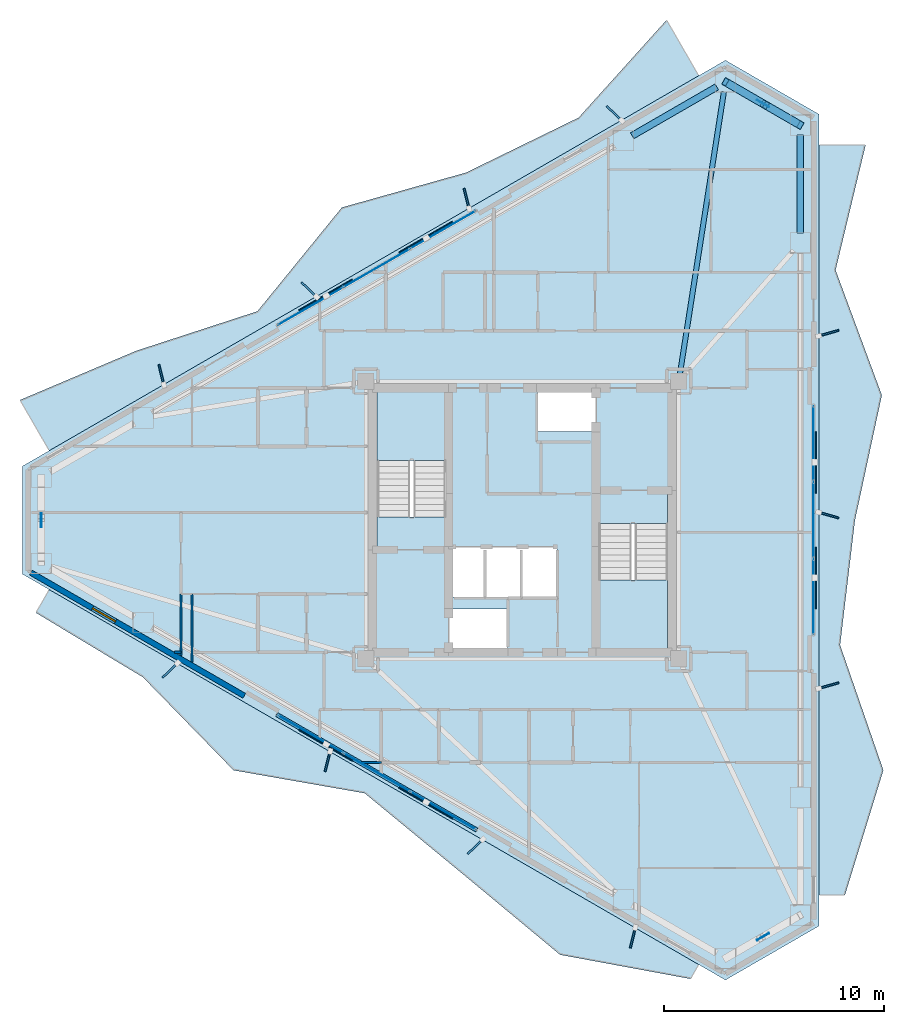
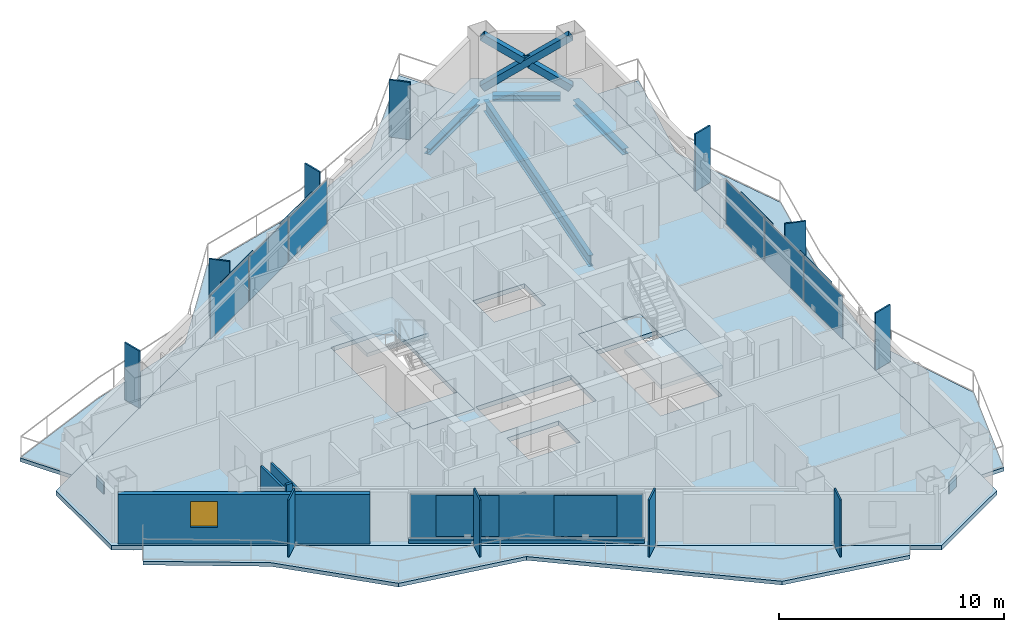
# One storey, part 11 of 19: 29 plates, 8 slabs, 6 walls, 4 beams, 3 members, 1 window, 1 opening, 5 elements without a shape of their own.
"""IFC4 building model written with IfcOpenShell, lengths in metres."""

from ifc_helpers import new_model, si_unit, direction, frame, frame_2d, origin, origin_2d, place, context, subcontext, project, spatial, polyline, rectangle, hollow_rectangle, i_section, outline, extrude, material, layer, layer_set, material_profile, profile_set, type_object, element, fill, aggregate, save


model = new_model("IFC4")

# Units and contexts
model_context = context("Model", 3, precision=1e-05, world=origin(), true_north=direction((0.0, 1.0)))
body_context = subcontext(model_context, "Body", "Model", "MODEL_VIEW")
ifc_project = project(units=[si_unit("LENGTHUNIT", "METRE"), si_unit("AREAUNIT", "SQUARE_METRE"), si_unit("VOLUMEUNIT", "CUBIC_METRE"), si_unit("PLANEANGLEUNIT", "RADIAN"), si_unit("MASSUNIT", "GRAM", prefix="KILO")], contexts=[model_context])

# Site, building, storey
site_placement = place(None, origin())
site = spatial("IfcSite", under=ifc_project, at=site_placement, CompositionType="ELEMENT")
building_placement = place(site_placement, origin())
building = spatial("IfcBuilding", under=site, at=building_placement, Name="Mersakhor Tower and Convention Hall", CompositionType="ELEMENT")
storey_placement = place(building_placement, frame((0.0, 0.0, 147.60009765625)))
storey = spatial("IfcBuildingStorey", under=building, at=storey_placement, Name="L41", CompositionType="ELEMENT", Elevation=147.60009765625)

# Beams
ifc_material_1 = material(Name="Steel S355", Category="steel")
ifc_material_profile_1 = material_profile(ifc_material_1, i_section(OverallWidth=0.22900390625, OverallDepth=0.6123046875, WebThickness=0.011962890625, FlangeThickness=0.01953125, at=origin_2d()), Name="UB 610x229x125")
ifc_profile_set_1 = profile_set([ifc_material_profile_1], Name="Steel S355")
beam_type_1 = type_object("IfcBeamType", Name="BM-PR-610", PredefinedType="BEAM", material=ifc_profile_set_1)
beam_1_placement = place(storey_placement, frame((36.15478515625, 33.40087890625, -0.546142578125), z_axis=(0.154111159783, 0.988053515975, 0.0), x_axis=(-0.988053515975, 0.154111159783, 0.0)))
element("IfcBeam", 1, at=beam_1_placement, inside=storey, type_object=beam_type_1, Name="L41 Primary Floor Girder FG-2", PredefinedType="BEAM", context=body_context, shape_type="SweptSolid", body=[
    extrude(i_section(OverallWidth=0.22900390625, OverallDepth=0.6123046875, WebThickness=0.011962890625, FlangeThickness=0.01953125, at=origin_2d()), origin(), (0.0, 0.0, 1.0), 12.94921875),
])
ifc_material_2 = material(Name="Steel S355", Category="steel")
ifc_material_profile_2 = material_profile(ifc_material_2, i_section(OverallWidth=0.30908203125, OverallDepth=0.320556640625, WebThickness=0.013916015625, FlangeThickness=0.021728515625, at=origin_2d()), Name="UC 305x305x137")
ifc_profile_set_2 = profile_set([ifc_material_profile_2], Name="Steel S355")
beam_type_2 = type_object("IfcBeamType", Name="BM-SPD-UC305", PredefinedType="SPANDREL", material=ifc_profile_set_2)
beam_2_placement = place(storey_placement, frame((33.986572265625, 44.200439453125, -0.400390625), z_axis=(0.866038875684, 0.49997666526, 0.0), x_axis=(-0.49997666526, 0.866038875684, 0.0)))
element("IfcBeam", 2, at=beam_2_placement, inside=storey, type_object=beam_type_2, Name="L41 Perimeter Spandrel Beam SPB-03", PredefinedType="SPANDREL", context=body_context, shape_type="SweptSolid", body=[
    extrude(i_section(OverallWidth=0.30908203125, OverallDepth=0.320556640625, WebThickness=0.013916015625, FlangeThickness=0.021728515625, at=origin_2d()), origin(), (0.0, 0.0, 1.0), 4.433837890625),
])
beam_3_placement = place(storey_placement, frame((38.614501953125, 46.417236328125, -0.400390625), z_axis=(0.86604667077, -0.499963162692, 0.0), x_axis=(0.499963162692, 0.86604667077, 0.0)))
element("IfcBeam", 3, at=beam_3_placement, inside=storey, type_object=beam_type_2, Name="L41 Perimeter Spandrel Beam SPB-04", PredefinedType="SPANDREL", context=body_context, shape_type="SweptSolid", body=[
    extrude(i_section(OverallWidth=0.30908203125, OverallDepth=0.320556640625, WebThickness=0.013916015625, FlangeThickness=0.021728515625, at=origin_2d()), origin(), (0.0, 0.0, 1.0), 3.014404296875),
])
beam_4_placement = place(storey_placement, frame((41.619140625, 44.2275390625, -0.400390625), z_axis=(0.0, -1.0, 0.0), x_axis=(1.0, 0.0, 0.0)))
element("IfcBeam", 4, at=beam_4_placement, inside=storey, type_object=beam_type_2, Name="L41 Perimeter Spandrel Beam SPB-05", PredefinedType="SPANDREL", context=body_context, shape_type="SweptSolid", body=[
    extrude(i_section(OverallWidth=0.30908203125, OverallDepth=0.320556640625, WebThickness=0.013916015625, FlangeThickness=0.021728515625, at=origin_2d()), origin(), (0.0, 0.0, 1.0), 4.433837890625),
])

# Members
ifc_material_3 = material(Name="Steel S460", Category="steel")
ifc_material_profile_3 = material_profile(ifc_material_3, hollow_rectangle(XDim=0.35009765625, YDim=0.35009765625, WallThickness=0.02001953125, at=origin_2d()), Name="SHS 350x350x20")
ifc_profile_set_3 = profile_set([ifc_material_profile_3], Name="Steel S460")
member_type = type_object("IfcMemberType", Name="MB-BRC-SHS350", PredefinedType="BRACE", material=ifc_profile_set_3)
member_placement = place(storey_placement, frame((38.220458984375, 46.644775390625, 0.14990234375), z_axis=(0.70838533923, -0.408971551713, 0.575267312693), x_axis=(0.499986324622, 0.866033299124, 0.0)))
element("IfcMember", 5, at=member_placement, inside=storey, type_object=member_type, Name="L41 Chamfer Braced Frame Diagonal CB-1A", PredefinedType="BRACE", context=body_context, shape_type="SweptSolid", body=[
    extrude(hollow_rectangle(XDim=0.35009765625, YDim=0.35009765625, WallThickness=0.02001953125, at=origin_2d()), origin(), (0.0, 0.0, 1.0), 4.7978515625),
])
for number, where, z_axis, x_axis, name in (
    (6, (41.619140625, 44.6826171875, 0.14990234375), (-0.708409139881, 0.409012716899, 0.575208734242), (-0.500011469263, -0.866018781901, 0.0), "L41 Chamfer Braced Frame Diagonal CB-1B Lower Half"),
    (7, (39.782470703125, 45.742919921875, 1.6416015625), (-0.708409139881, 0.409012716899, 0.575208734242), (-0.500011469263, -0.866018781901, 0.0), "L41 Chamfer Braced Frame Diagonal CB-1B Upper Half"),
):
    element("IfcMember", number, at=place(storey_placement, frame(where, z_axis=z_axis, x_axis=x_axis)), inside=storey, type_object=member_type, Name=name, PredefinedType="BRACE", context=body_context, shape_type="SweptSolid", body=[
        extrude(hollow_rectangle(XDim=0.35009765625, YDim=0.35009765625, WallThickness=0.02001953125, at=origin_2d()), origin(), (0.0, 0.0, 1.0), 2.205078125),
    ])

# Curtain wall, plates
ifc_material_4 = material(Name="Dark solar low-E aluminium curtain wall", Category="aluminium")
ifc_layer_1 = layer(ifc_material_4, 0.169921875)
ifc_layer_set_1 = layer_set([ifc_layer_1], Name="Dark solar low-E aluminium curtain wall")
curtain_wall_type = type_object("IfcCurtainWallType", Name="CW-SYS-02", PredefinedType="USERDEFINED", material=ifc_layer_set_1)
curtain_wall_1_placement = place(storey_placement, origin())
curtain_wall_1 = element("IfcCurtainWall", 8, at=curtain_wall_1_placement, inside=storey, type_object=curtain_wall_type, Name="L41 Dark-Glass Curtain Wall F1-B2", ObjectType="CURTAIN WALL", PredefinedType="USERDEFINED")
ifc_material_5 = material(Name="Dark solar double glazing", Category="glass")
ifc_layer_2 = layer(ifc_material_5, 0.028076171875)
ifc_layer_set_2 = layer_set([ifc_layer_2], Name="Dark solar double glazing")
plate_type_1 = type_object("IfcPlateType", Name="CWP-GLZ-28", PredefinedType="CURTAIN_PANEL", material=ifc_layer_set_2)
plate_1_placement = place(storey_placement, frame((19.379638671875, 36.4599609375, 0.259765625), z_axis=(0.0, 0.0, 1.0), x_axis=(0.866030906807, 0.499990468363, 0.0)))
plate_1 = element("IfcPlate", 9, at=plate_1_placement, type_object=plate_type_1, Name="CW-02 panel 1.1", PredefinedType="CURTAIN_PANEL", context=body_context, shape_type="SweptSolid", body=[
    extrude(rectangle(XDim=3.3828125, YDim=0.028076171875, at=origin_2d()), origin(), (0.0, 0.0, 1.0), 2.360107421875),
])
plate_2_placement = place(storey_placement, frame((22.390380859375, 38.1982421875, 0.259765625), z_axis=(0.0, 0.0, 1.0), x_axis=(0.866030906807, 0.499990468363, 0.0)))
plate_2 = element("IfcPlate", 10, at=plate_2_placement, type_object=plate_type_1, Name="CW-02 panel 2.1", PredefinedType="CURTAIN_PANEL", context=body_context, shape_type="SweptSolid", body=[
    extrude(rectangle(XDim=3.42041015625, YDim=0.028076171875, at=origin_2d()), origin(), (0.0, 0.0, 1.0), 2.360107421875),
])
plate_3_placement = place(storey_placement, frame((25.401123046875, 39.9365234375, 0.259765625), z_axis=(0.0, 0.0, 1.0), x_axis=(0.866030906807, 0.499990468363, 0.0)))
plate_3 = element("IfcPlate", 11, at=plate_3_placement, type_object=plate_type_1, Name="CW-02 panel 3.1", PredefinedType="CURTAIN_PANEL", context=body_context, shape_type="SweptSolid", body=[
    extrude(rectangle(XDim=3.3828125, YDim=0.028076171875, at=origin_2d()), origin(), (0.0, 0.0, 1.0), 2.360107421875),
])
aggregate(curtain_wall_1, [plate_1, plate_2, plate_3])

curtain_wall_2_placement = place(storey_placement, origin())
curtain_wall_2 = element("IfcCurtainWall", 12, at=curtain_wall_2_placement, inside=storey, type_object=curtain_wall_type, Name="L41 Dark-Glass Curtain Wall F2-B2", ObjectType="CURTAIN WALL", PredefinedType="USERDEFINED")
plate_4_placement = place(storey_placement, frame((42.21923828125, 30.2265625, 0.259765625), z_axis=(0.0, 0.0, 1.0), x_axis=(0.0, -1.0, 0.0)))
plate_4 = element("IfcPlate", 13, at=plate_4_placement, type_object=plate_type_1, Name="CW-02 panel 1.1", PredefinedType="CURTAIN_PANEL", context=body_context, shape_type="SweptSolid", body=[
    extrude(rectangle(XDim=3.3828125, YDim=0.028076171875, at=origin_2d()), origin(), (0.0, 0.0, 1.0), 2.360107421875),
])
plate_5_placement = place(storey_placement, frame((42.21923828125, 26.75, 0.259765625), z_axis=(0.0, 0.0, 1.0), x_axis=(0.0, -1.0, 0.0)))
plate_5 = element("IfcPlate", 14, at=plate_5_placement, type_object=plate_type_1, Name="CW-02 panel 2.1", PredefinedType="CURTAIN_PANEL", context=body_context, shape_type="SweptSolid", body=[
    extrude(rectangle(XDim=3.42041015625, YDim=0.028076171875, at=origin_2d()), origin(), (0.0, 0.0, 1.0), 2.360107421875),
])
plate_6_placement = place(storey_placement, frame((42.21923828125, 23.2734375, 0.259765625), z_axis=(0.0, 0.0, 1.0), x_axis=(0.0, -1.0, 0.0)))
plate_6 = element("IfcPlate", 15, at=plate_6_placement, type_object=plate_type_1, Name="CW-02 panel 3.1", PredefinedType="CURTAIN_PANEL", context=body_context, shape_type="SweptSolid", body=[
    extrude(rectangle(XDim=3.3828125, YDim=0.028076171875, at=origin_2d()), origin(), (0.0, 0.0, 1.0), 2.360107421875),
])
aggregate(curtain_wall_2, [plate_4, plate_5, plate_6])

curtain_wall_3_placement = place(storey_placement, origin())
curtain_wall_3 = element("IfcCurtainWall", 16, at=curtain_wall_3_placement, inside=storey, type_object=curtain_wall_type, Name="L41 Dark-Glass Curtain Wall F3-B2", ObjectType="CURTAIN WALL", PredefinedType="USERDEFINED")
plate_7_placement = place(storey_placement, frame((25.401123046875, 13.5634765625, 0.259765625), z_axis=(0.0, 0.0, 1.0), x_axis=(-0.866030906807, 0.499990468363, 0.0)))
plate_7 = element("IfcPlate", 17, at=plate_7_placement, type_object=plate_type_1, Name="CW-02 panel 1.1", PredefinedType="CURTAIN_PANEL", context=body_context, shape_type="SweptSolid", body=[
    extrude(rectangle(XDim=3.3828125, YDim=0.028076171875, at=origin_2d()), origin(), (0.0, 0.0, 1.0), 2.360107421875),
])
plate_8_placement = place(storey_placement, frame((22.390380859375, 15.3017578125, 0.259765625), z_axis=(0.0, 0.0, 1.0), x_axis=(-0.866030906807, 0.499990468363, 0.0)))
plate_8 = element("IfcPlate", 18, at=plate_8_placement, type_object=plate_type_1, Name="CW-02 panel 2.1", PredefinedType="CURTAIN_PANEL", context=body_context, shape_type="SweptSolid", body=[
    extrude(rectangle(XDim=3.42041015625, YDim=0.028076171875, at=origin_2d()), origin(), (0.0, 0.0, 1.0), 2.360107421875),
])
plate_9_placement = place(storey_placement, frame((19.379638671875, 17.0400390625, 0.259765625), z_axis=(0.0, 0.0, 1.0), x_axis=(-0.866030906807, 0.499990468363, 0.0)))
plate_9 = element("IfcPlate", 19, at=plate_9_placement, type_object=plate_type_1, Name="CW-02 panel 3.1", PredefinedType="CURTAIN_PANEL", context=body_context, shape_type="SweptSolid", body=[
    extrude(rectangle(XDim=3.3828125, YDim=0.028076171875, at=origin_2d()), origin(), (0.0, 0.0, 1.0), 2.360107421875),
])
aggregate(curtain_wall_3, [plate_7, plate_8, plate_9])

# Plates
ifc_material_6 = material(Name="Ceramic-clad aluminium Zone 3 ochre-bronze", Category="aluminium")
ifc_material_7 = material(Name="Ceramic-clad aluminium Zone 1 cobalt-slate", Category="masonry")
ifc_layer_3 = layer(ifc_material_7, 0.080078125)
ifc_layer_set_3 = layer_set([ifc_layer_3], Name="Ceramic-clad aluminium Zone 1 cobalt-slate")
plate_type_2 = type_object("IfcPlateType", Name="PL-FIN-80", PredefinedType="USERDEFINED", material=ifc_layer_set_3)
for number, where, z_axis, x_axis, name in (
    (20, (12.614013671875, 33.3466796875, -0.000244140625), (0.0, 0.0, 1.0), (-0.2419218956, 0.970295726276, 0.0), "L41 Zone 3 Coloured Brise-Soleil Fin F1-1"),
    (21, (19.3154296875, 37.215576171875, -0.000244140625), (0.0, 0.0, 1.0), (-0.719339800339, 0.694658370459, 0.0), "L41 Zone 3 Coloured Brise-Soleil Fin F1-2"),
    (22, (26.470458984375, 41.346435546875, -0.000244140625), (0.0, 0.0, 1.0), (-0.2419218956, 0.970295726276, 0.0), "L41 Zone 3 Coloured Brise-Soleil Fin F1-3"),
    (23, (33.171875, 45.215576171875, -0.000244140625), (0.0, 0.0, 1.0), (-0.719339800339, 0.694658370459, 0.0), "L41 Zone 3 Coloured Brise-Soleil Fin F1-4"),
    (24, (42.90576171875, 35.237548828125, -0.000244140625), (0.0, 0.0, 1.0), (0.961261695938, 0.275637355817, 0.0), "L41 Zone 3 Coloured Brise-Soleil Fin F2-1"),
    (25, (42.90576171875, 26.9755859375, -0.000244140625), (0.0, 0.0, 1.0), (0.961261695938, -0.275637355817, 0.0), "L41 Zone 3 Coloured Brise-Soleil Fin F2-2"),
    (26, (42.90576171875, 19.237548828125, -0.000244140625), (0.0, 0.0, 1.0), (0.961261695938, 0.275637355817, 0.0), "L41 Zone 3 Coloured Brise-Soleil Fin F2-3"),
    (27, (34.016357421875, 7.796875, -0.000244140625), (0.0, 0.0, 1.0), (-0.2419218956, -0.970295726276, 0.0), "L41 Zone 3 Coloured Brise-Soleil Fin F3-1"),
    (28, (26.861328125, 11.927734375, -0.000244140625), (0.0, 0.0, 1.0), (-0.719339800339, -0.694658370459, 0.0), "L41 Zone 3 Coloured Brise-Soleil Fin F3-2"),
    (29, (20.159912109375, 15.796875, -0.000244140625), (0.0, 0.0, 1.0), (-0.2419218956, -0.970295726276, 0.0), "L41 Zone 3 Coloured Brise-Soleil Fin F3-3"),
    (30, (13.0048828125, 19.927734375, -0.000244140625), (0.0, 0.0, 1.0), (-0.719339800339, -0.694658370459, 0.0), "L41 Zone 3 Coloured Brise-Soleil Fin F3-4"),
):
    element("IfcPlate", number, at=place(storey_placement, frame(where, z_axis=z_axis, x_axis=x_axis)), inside=storey, type_object=plate_type_2, material=ifc_material_6, Name=name, ObjectType="FIN", PredefinedType="USERDEFINED", context=body_context, shape_type="SweptSolid", body=[
        extrude(rectangle(XDim=0.949951171875, YDim=0.080078125, at=origin_2d()), origin(), (0.0, 0.0, 1.0), 3.10009765625),
    ])
ifc_material_8 = material(Name="Steel S460", Category="steel")
ifc_layer_4 = layer(ifc_material_8, 0.0400390625)
ifc_layer_set_4 = layer_set([ifc_layer_4], Name="Steel S460")
plate_type_3 = type_object("IfcPlateType", Name="PL-GUSSET-40", PredefinedType="SHEET", material=ifc_layer_set_4)
for number, where, z_axis, x_axis, name in (
    (31, (39.919921875, 45.663818359375, 1.2099609375), (0.0, 0.0, 1.0), (-0.866025403784, 0.5, 0.0), "L41 X-Brace Crossing Gusset Node Plate"),
    (32, (39.919921875, 7.836181640625, 1.2099609375), (0.0, 0.0, 1.0), (0.866025403784, 0.5, 0.0), "L41 X-Brace Crossing Gusset Node Plate"),
    (33, (7.160400390625, 26.75, 1.2099609375), (0.0, 0.0, 1.0), (0.0, -1.0, 0.0), "L41 X-Brace Crossing Gusset Node Plate"),
):
    element("IfcPlate", number, at=place(storey_placement, frame(where, z_axis=z_axis, x_axis=x_axis)), inside=storey, type_object=plate_type_3, Name=name, PredefinedType="SHEET", context=body_context, shape_type="SweptSolid", body=[
        extrude(rectangle(XDim=0.639892578125, YDim=0.0400390625, at=origin_2d()), origin(), (0.0, 0.0, 1.0), 0.639892578125),
    ])
ifc_material_9 = material(Name="Perforated ceramic cobogo solar screen", Category="aluminium")
ifc_layer_5 = layer(ifc_material_9, 0.055908203125)
ifc_layer_set_5 = layer_set([ifc_layer_5], Name="Perforated ceramic cobogo solar screen")
plate_type_4 = type_object("IfcPlateType", Name="PL-SCR-56", PredefinedType="USERDEFINED", material=ifc_layer_set_5)
for number, where, z_axis, x_axis, name in (
    (34, (20.071044921875, 36.972412109375, 0.39990234375), (0.0, 0.0, 1.0), (0.866025403784, 0.5, 0.0), "L41 Perforated Ceramic Solar Screen F1-1"),
    (35, (24.61181640625, 39.59375, 0.39990234375), (0.0, 0.0, 1.0), (0.866025403784, 0.5, 0.0), "L41 Perforated Ceramic Solar Screen F1-2"),
    (36, (42.317138671875, 29.37158203125, 0.39990234375), (0.0, 0.0, 1.0), (0.0, -1.0, 0.0), "L41 Perforated Ceramic Solar Screen F2-1"),
    (37, (42.317138671875, 24.12841796875, 0.39990234375), (0.0, 0.0, 1.0), (0.0, -1.0, 0.0), "L41 Perforated Ceramic Solar Screen F2-2"),
    (38, (24.61181640625, 13.90625, 0.39990234375), (0.0, 0.0, 1.0), (-0.866025403784, 0.5, 0.0), "L41 Perforated Ceramic Solar Screen F3-1"),
    (39, (20.071044921875, 16.52783203125, 0.39990234375), (0.0, 0.0, 1.0), (-0.866025403784, 0.5, 0.0), "L41 Perforated Ceramic Solar Screen F3-2"),
):
    element("IfcPlate", number, at=place(storey_placement, frame(where, z_axis=z_axis, x_axis=x_axis)), inside=storey, type_object=plate_type_4, Name=name, ObjectType="SCREEN", PredefinedType="USERDEFINED", context=body_context, shape_type="SweptSolid", body=[
        extrude(rectangle(XDim=2.800048828125, YDim=0.055908203125, at=origin_2d()), origin(), (0.0, 0.0, 1.0), 2.22998046875),
    ])

# Slabs
ifc_material_10 = material(Name="Concrete C45/55", Category="concrete")
ifc_layer_6 = layer(ifc_material_10, 0.199951171875)
ifc_layer_set_6 = layer_set([ifc_layer_6], Name="Concrete C45/55")
slab_type_1 = type_object("IfcSlabType", Name="SL-BAL-200", PredefinedType="FLOOR", material=ifc_layer_set_6)
slab_1_placement = place(storey_placement, frame((0.0, 0.0, -0.2001953125)))
element("IfcSlab", 40, at=slab_1_placement, inside=storey, type_object=slab_type_1, Name="L41 Sinusoidal Balcony Slab Face 1", PredefinedType="FLOOR", context=body_context, shape_type="SweptSolid", body=[
    extrude(outline(polyline([(7.522705078125, 29.903076171875), (37.008056640625, 46.92626953125), (35.548095703125, 49.455078125), (31.5546875, 45.022705078125), (26.443359375, 42.527099609375), (20.805419921875, 40.943359375), (16.973388671875, 36.23193359375), (11.459716796875, 34.4326171875), (6.19482421875, 32.202880859375), (7.522705078125, 29.903076171875)])), origin(), (0.0, 0.0, 1.0), 0.2001953125),
])
slab_2_placement = place(storey_placement, frame((0.0, 0.0, -0.2001953125)))
element("IfcSlab", 41, at=slab_2_placement, inside=storey, type_object=slab_type_1, Name="L41 Sinusoidal Balcony Slab Face 2", PredefinedType="FLOOR", context=body_context, shape_type="SweptSolid", body=[
    extrude(outline(polyline([(42.46923828125, 43.773193359375), (42.46923828125, 9.726806640625), (43.64501953125, 9.726806640625), (45.38916015625, 15.401123046875), (43.424072265625, 21.07568359375), (44.100341796875, 26.75), (45.32080078125, 32.42431640625), (43.21923828125, 38.098876953125), (44.58251953125, 43.773193359375), (42.46923828125, 43.773193359375)])), origin(), (0.0, 0.0, 1.0), 0.2001953125),
])
slab_3_placement = place(storey_placement, frame((0.0, 0.0, -0.2001953125)))
element("IfcSlab", 42, at=slab_3_placement, inside=storey, type_object=slab_type_1, Name="L41 Sinusoidal Balcony Slab Face 3", PredefinedType="FLOOR", context=body_context, shape_type="SweptSolid", body=[
    extrude(outline(polyline([(37.008056640625, 6.57373046875), (7.522705078125, 23.596923828125), (6.91552734375, 22.54541015625), (11.777099609375, 19.61669921875), (15.89111328125, 15.393798828125), (21.842041015625, 14.35205078125), (26.283203125, 10.69580078125), (30.712646484375, 7.018798828125), (36.633056640625, 5.92431640625), (37.008056640625, 6.57373046875)])), origin(), (0.0, 0.0, 1.0), 0.2001953125),
])
ifc_material_11 = material(Name="Concrete C40/50", Category="concrete")
ifc_layer_7 = layer(ifc_material_11, 0.239990234375)
ifc_layer_set_7 = layer_set([ifc_layer_7], Name="Concrete C40/50")
slab_type_2 = type_object("IfcSlabType", Name="SL-FLR-240", PredefinedType="FLOOR", material=ifc_layer_set_7)
slab_4_placement = place(storey_placement, frame((0.0, 0.0, -0.239990234375)))
element("IfcSlab", 43, at=slab_4_placement, inside=storey, type_object=slab_type_2, Name="L41 ST-1 Structural Stair Floor Landing", PredefinedType="LANDING", context=body_context, shape_type="SweptSolid", body=[
    extrude(outline(polyline([(25.550048828125, 25.39990234375), (25.550048828125, 26.89990234375), (22.39990234375, 26.89990234375), (22.39990234375, 25.39990234375), (25.550048828125, 25.39990234375)])), origin(), (0.0, 0.0, 1.0), 0.239990234375),
])
slab_5_placement = place(storey_placement, frame((0.0, 0.0, -0.239990234375)))
element("IfcSlab", 44, at=slab_5_placement, inside=storey, type_object=slab_type_2, Name="L41 ST-2 Structural Stair Floor Landing", PredefinedType="LANDING", context=body_context, shape_type="SweptSolid", body=[
    extrude(outline(polyline([(32.449951171875, 28.10009765625), (32.449951171875, 26.60009765625), (35.60009765625, 26.60009765625), (35.60009765625, 28.10009765625), (32.449951171875, 28.10009765625)])), origin(), (0.0, 0.0, 1.0), 0.239990234375),
])
slab_6_placement = place(storey_placement, frame((0.0, 0.0, -0.239990234375)))
element("IfcSlab", 45, at=slab_6_placement, inside=storey, type_object=slab_type_2, Name="Tower L41 Structural Floor Slab", PredefinedType="FLOOR", context=body_context, shape_type="SweptSolid", body=[
    extrude(outline(polyline([(6.310302734375, 29.202880859375), (38.220458984375, 47.626220703125), (42.46923828125, 45.17333984375), (42.46923828125, 8.32666015625), (38.220458984375, 5.873779296875), (6.310302734375, 24.297119140625), (6.310302734375, 29.202880859375)]), holes=[polyline([(25.550048828125, 25.39990234375), (25.550048828125, 32.699951171875), (22.39990234375, 32.699951171875), (22.39990234375, 25.39990234375), (25.550048828125, 25.39990234375)]), polyline([(32.449951171875, 28.10009765625), (32.449951171875, 20.800048828125), (35.60009765625, 20.800048828125), (35.60009765625, 28.10009765625), (32.449951171875, 28.10009765625)]), polyline([(25.679931640625, 20.820068359375), (25.679931640625, 22.719970703125), (28.320068359375, 22.719970703125), (28.320068359375, 20.820068359375), (25.679931640625, 20.820068359375)]), polyline([(29.679931640625, 30.780029296875), (29.679931640625, 32.679931640625), (32.320068359375, 32.679931640625), (32.320068359375, 30.780029296875), (29.679931640625, 30.780029296875)]), polyline([(25.679931640625, 23.25), (25.679931640625, 25.5), (30.570068359375, 25.5), (30.570068359375, 23.25), (25.679931640625, 23.25)])]), origin(), (0.0, 0.0, 1.0), 0.239990234375),
])

# Stair, slab
ifc_material_12 = material(Name="Concrete C45/55", Category="concrete")
stair_type = type_object("IfcStairType", Name="ST-TWR-20R", PredefinedType="HALF_TURN_STAIR", material=ifc_material_12)
stair_1_placement = place(storey_placement, origin())
stair_1 = element("IfcStair", 46, at=stair_1_placement, inside=storey, type_object=stair_type, Name="L41 Tower Protected Exit Stair ST-1", PredefinedType="HALF_TURN_STAIR")
ifc_material_13 = material(Name="Concrete C45/55", Category="concrete")
ifc_layer_8 = layer(ifc_material_13, 0.199951171875)
ifc_layer_set_8 = layer_set([ifc_layer_8], Name="Concrete C45/55")
slab_type_3 = type_object("IfcSlabType", Name="SL-LAND-200", PredefinedType="LANDING", material=ifc_layer_set_8)
slab_7_placement = place(storey_placement, frame((0.0, 0.0, 1.449951171875)))
slab_7 = element("IfcSlab", 47, at=slab_7_placement, type_object=slab_type_3, Name="ST-1 landing 1", PredefinedType="LANDING", context=body_context, shape_type="SweptSolid", body=[
    extrude(outline(polyline([(25.550048828125, 29.465087890625), (25.550048828125, 32.699951171875), (22.39990234375, 32.699951171875), (22.39990234375, 29.465087890625), (25.550048828125, 29.465087890625)])), origin(), (0.0, 0.0, 1.0), 0.199951171875),
])
aggregate(stair_1, [slab_7])

stair_2_placement = place(storey_placement, origin())
stair_2 = element("IfcStair", 48, at=stair_2_placement, inside=storey, type_object=stair_type, Name="L41 Tower Protected Exit Stair ST-2", PredefinedType="HALF_TURN_STAIR")
slab_8_placement = place(storey_placement, frame((0.0, 0.0, 1.449951171875)))
slab_8 = element("IfcSlab", 49, at=slab_8_placement, type_object=slab_type_3, Name="ST-2 landing 1", PredefinedType="LANDING", context=body_context, shape_type="SweptSolid", body=[
    extrude(outline(polyline([(32.449951171875, 24.034912109375), (32.449951171875, 20.800048828125), (35.60009765625, 20.800048828125), (35.60009765625, 24.034912109375), (32.449951171875, 24.034912109375)])), origin(), (0.0, 0.0, 1.0), 0.199951171875),
])
aggregate(stair_2, [slab_8])

# Wall, opening, window
ifc_material_14 = material(Name="Precast concrete C40/50", Category="concrete")
ifc_layer_9 = layer(ifc_material_14, 0.25)
ifc_layer_set_9 = layer_set([ifc_layer_9], Name="Precast concrete C40/50")
wall_type_1 = type_object("IfcWallType", Name="WL-EXT-250", PredefinedType="SOLIDWALL", material=ifc_layer_set_9)
wall_1_placement = place(storey_placement, frame((16.377685546875, 18.773193359375, 0.0), z_axis=(0.0, 0.0, 1.0), x_axis=(-0.866027848477, 0.499995765644, 0.0)))
wall_1 = element("IfcWall", 50, at=wall_1_placement, inside=storey, type_object=wall_type_1, Name="L41 Exterior Facade Wall F3-B3", PredefinedType="SOLIDWALL", context=body_context, shape_type="SweptSolid", body=[
    extrude(rectangle(XDim=11.18603515625, YDim=0.25, at=frame_2d((5.593017578125, 0.0))), origin(), (0.0, 0.0, 1.0), 2.679931640625),
])
opening_placement = place(wall_1_placement, frame((6.757080078125, 0.0, 0.89990234375)))
opening = element("IfcOpeningElement", 51, at=opening_placement, cuts=wall_1, Name="Opening W-01", PredefinedType="OPENING", context=body_context, shape_type="SweptSolid", body=[
    extrude(rectangle(XDim=1.199951171875, YDim=1.39990234375, at=frame_2d((0.60009765625, 0.699951171875))), frame((0.0, 0.135009765625, 0.0), z_axis=(0.0, -1.0, 0.0), x_axis=(1.0, 0.0, 0.0)), (0.0, 0.0, 1.0), 0.27001953125),
])
ifc_material_15 = material(Name="Dark solar low-E glazed aluminium window", Category="aluminium")
window_type = type_object("IfcWindowType", Name="WN-RES-120x150", PartitioningType="SINGLE_PANEL", PredefinedType="WINDOW", material=ifc_material_15)
window_placement = place(opening_placement, origin())
window = element("IfcWindow", 52, at=window_placement, inside=storey, type_object=window_type, Name="L41 Bedroom Facade Window F3-B3-1", OverallHeight=1.39990234375, OverallWidth=1.199951171875, PartitioningType="SINGLE_PANEL", PredefinedType="WINDOW", context=body_context, shape_type="SweptSolid", body=[
    extrude(rectangle(XDim=1.199951171875, YDim=1.39990234375, at=frame_2d((0.60009765625, 0.699951171875))), frame((0.0, 0.030029296875, 0.0), z_axis=(0.0, -1.0, 0.0), x_axis=(1.0, 0.0, 0.0)), (0.0, 0.0, 1.0), 0.06005859375),
])
fill(opening, window)

# Walls
ifc_material_16 = material(Name="Precast concrete C40/50", Category="concrete")
ifc_layer_10 = layer(ifc_material_16, 0.199951171875)
ifc_layer_set_10 = layer_set([ifc_layer_10], Name="Precast concrete C40/50")
wall_type_2 = type_object("IfcWallType", Name="WL-PAR-200", PredefinedType="PARAPET", material=ifc_layer_set_10)
wall_2_placement = place(storey_placement, frame((26.930908203125, 12.680419921875, 0.0), z_axis=(0.0, 0.0, 1.0), x_axis=(-0.866026619769, 0.499997893847, 0.0)))
element("IfcWall", 53, at=wall_2_placement, inside=storey, type_object=wall_type_2, Name="L41 Curtain Wall Upstand Sill F3-B2", PredefinedType="PARAPET", context=body_context, shape_type="SweptSolid", body=[
    extrude(rectangle(XDim=10.48583984375, YDim=0.199951171875, at=frame_2d((5.242919921875, 0.0))), origin(), (0.0, 0.0, 1.0), 0.199951171875),
])
ifc_material_17 = material(Name="Lightweight gypsum partition", Category="other")
ifc_layer_11 = layer(ifc_material_17, 0.10009765625)
ifc_layer_set_11 = layer_set([ifc_layer_11], Name="Lightweight gypsum partition")
wall_type_3 = type_object("IfcWallType", Name="WL-PRT-100", PredefinedType="PARTITIONING", material=ifc_layer_set_11)
wall_3_placement = place(storey_placement, frame((14.0, 20.318115234375, 0.0), z_axis=(0.0, 0.0, 1.0), x_axis=(0.0, 1.0, 0.0)))
element("IfcWall", 54, at=wall_3_placement, inside=storey, type_object=wall_type_3, Name="L41 Interior Partition Wall P-096", PredefinedType="PARTITIONING", context=body_context, shape_type="SweptSolid", body=[
    extrude(rectangle(XDim=3.081787109375, YDim=0.10009765625, at=frame_2d((1.541015625, 0.0))), origin(), (0.0, 0.0, 1.0), 2.364990234375),
])
wall_4_placement = place(storey_placement, frame((22.60009765625, 15.75, 0.0), z_axis=(0.0, 0.0, 1.0), x_axis=(-1.0, 0.0, 0.0)))
element("IfcWall", 55, at=wall_4_placement, inside=storey, type_object=wall_type_3, Name="L41 Interior Partition Wall P-122", PredefinedType="PARTITIONING", context=body_context, shape_type="SweptSolid", body=[
    extrude(rectangle(XDim=0.916748046875, YDim=0.10009765625, at=frame_2d((0.45849609375, 0.0))), origin(), (0.0, 0.0, 1.0), 2.364990234375),
])
wall_5_placement = place(storey_placement, frame((13.5, 23.39990234375, 0.0), z_axis=(0.0, 0.0, 1.0), x_axis=(0.0, -1.0, 0.0)))
element("IfcWall", 56, at=wall_5_placement, inside=storey, type_object=wall_type_3, Name="L41 Interior Partition Wall P-136", PredefinedType="PARTITIONING", context=body_context, shape_type="SweptSolid", body=[
    extrude(rectangle(XDim=2.793212890625, YDim=0.10009765625, at=frame_2d((1.396484375, 0.0))), origin(), (0.0, 0.0, 1.0), 2.364990234375),
])
ifc_material_18 = material(Name="Gypsum board acoustic partition", Category="other")
ifc_layer_12 = layer(ifc_material_18, 0.125)
ifc_layer_set_12 = layer_set([ifc_layer_12], Name="Gypsum board acoustic partition")
wall_type_4 = type_object("IfcWallType", Name="WL-PRT-125", PredefinedType="PARTITIONING", material=ifc_layer_set_12)
wall_6_placement = place(storey_placement, frame((13.5, 20.75, 0.0), z_axis=(0.0, 0.0, 1.0), x_axis=(-1.0, 0.0, 0.0)))
element("IfcWall", 57, at=wall_6_placement, inside=storey, type_object=wall_type_4, Name="L41 Interior Partition Wall P-137", PredefinedType="PARTITIONING", context=body_context, shape_type="SweptSolid", body=[
    extrude(rectangle(XDim=0.293212890625, YDim=0.125, at=frame_2d((0.146484375, 0.0))), origin(), (0.0, 0.0, 1.0), 3.059814453125),
])

save(model, "model.ifc")
